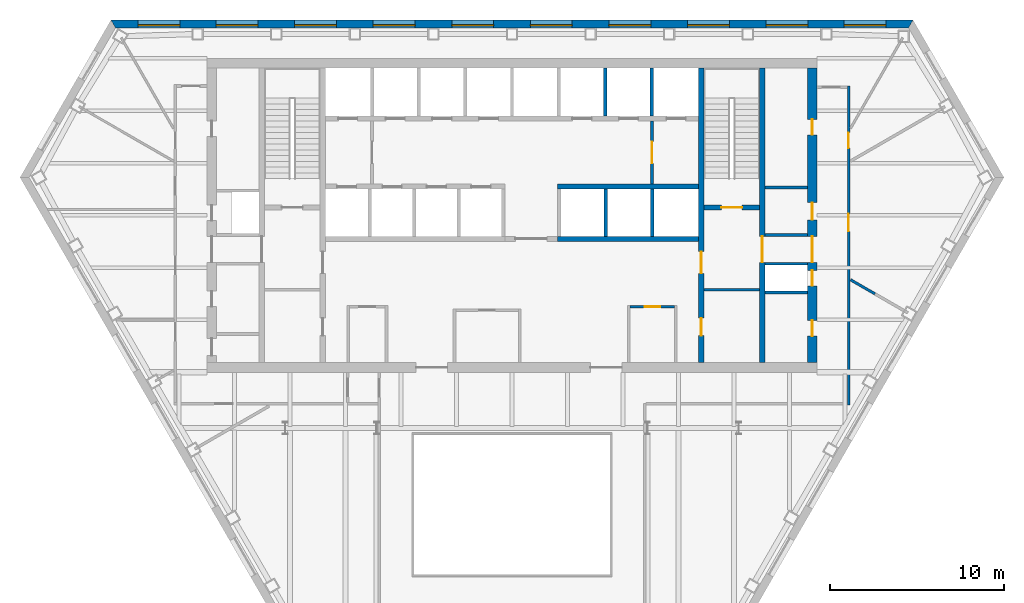
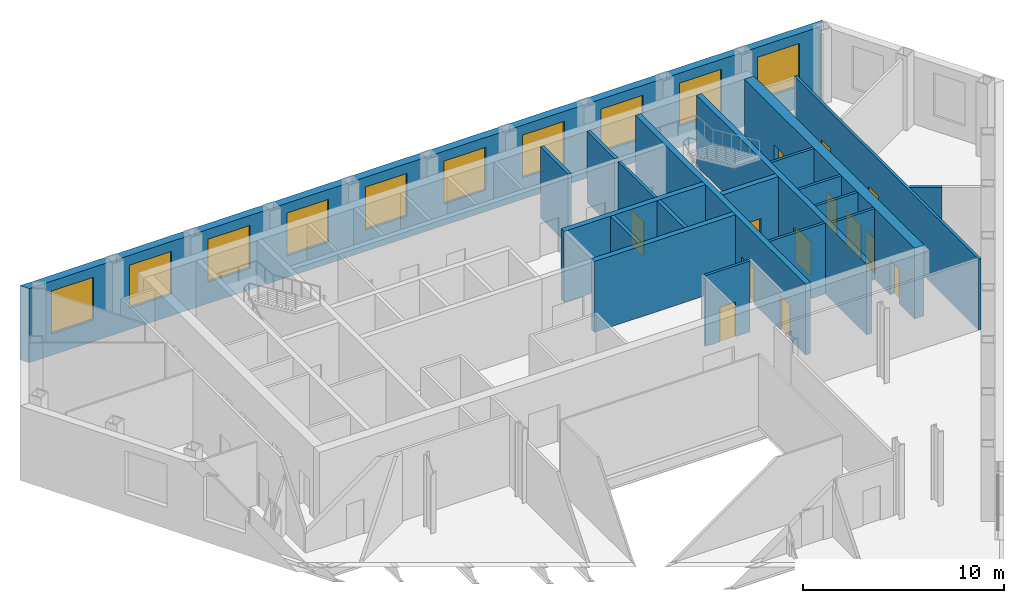
# One storey, part 7 of 11: 20 walls, 13 doors, 10 windows, 23 openings.
"""IFC4 building model written with IfcOpenShell, lengths in metres."""

from ifc_helpers import new_model, si_unit, direction, frame, frame_2d, origin, place, context, subcontext, project, spatial, polyline, rectangle, outline, extrude, material, layer, layer_set, type_object, element, fill, save


model = new_model("IFC4")

# Units and contexts
model_context = context("Model", 3, precision=1e-05, world=origin(), true_north=direction((0.0, 1.0)))
body_context = subcontext(model_context, "Body", "Model", "MODEL_VIEW")
ifc_project = project(units=[si_unit("LENGTHUNIT", "METRE"), si_unit("AREAUNIT", "SQUARE_METRE"), si_unit("VOLUMEUNIT", "CUBIC_METRE"), si_unit("PLANEANGLEUNIT", "RADIAN"), si_unit("MASSUNIT", "GRAM", prefix="KILO")], contexts=[model_context])

# Site, building, storey
site_placement = place(None, origin())
site = spatial("IfcSite", under=ifc_project, at=site_placement, CompositionType="ELEMENT")
building_placement = place(site_placement, origin())
building = spatial("IfcBuilding", under=site, at=building_placement, Name="Njiva Tower", CompositionType="ELEMENT")
storey_placement = place(building_placement, frame((0.0, 0.0, 88.8)))
storey = spatial("IfcBuildingStorey", under=building, at=storey_placement, Name="L18", CompositionType="ELEMENT", Elevation=88.8)

# Walls
ifc_material_1 = material(Name="Blockwork", Category="masonry")
ifc_layer_1 = layer(ifc_material_1, 0.15)
ifc_layer_set_1 = layer_set([ifc_layer_1], Name="Blockwork")
wall_type_1 = type_object("IfcWallType", Name="WT1 Compartment partition 150", PredefinedType="PARTITIONING", material=ifc_layer_set_1)
wall_1_placement = place(storey_placement, frame((11.0, 4.725, 0.0), z_axis=(0.0, 0.0, 1.0), x_axis=(1.0, 0.0, 0.0)))
element("IfcWall", 1, at=wall_1_placement, inside=storey, type_object=wall_type_1, Name="Room wall B", PredefinedType="PARTITIONING", context=body_context, shape_type="SweptSolid", body=[
    extrude(rectangle(XDim=3.2, YDim=0.15, at=frame_2d((1.6, 0.0))), origin(), (0.0, 0.0, 1.0), 4.3),
])
wall_2_placement = place(storey_placement, frame((14.5, 10.5941, 0.0), z_axis=(0.0, 0.0, 1.0), x_axis=(1.0, 0.0, 0.0)))
element("IfcWall", 2, at=wall_2_placement, inside=storey, type_object=wall_type_1, Name="Partition strip E10", PredefinedType="PARTITIONING", context=body_context, shape_type="SweptSolid", body=[
    extrude(rectangle(XDim=2.45, YDim=0.15, at=frame_2d((1.225, 0.0))), origin(), (0.0, 0.0, 1.0), 4.3),
])

# Wall, opening, door
wall_3_placement = place(storey_placement, frame((6.775, 3.75, 0.0), z_axis=(0.0, 0.0, 1.0), x_axis=(1.0, 0.0, 0.0)))
wall_3 = element("IfcWall", 3, at=wall_3_placement, inside=storey, type_object=wall_type_1, Name="Information office wall north", PredefinedType="PARTITIONING", context=body_context, shape_type="SweptSolid", body=[
    extrude(rectangle(XDim=2.55, YDim=0.15, at=frame_2d((1.275, 0.0))), origin(), (0.0, 0.0, 1.0), 4.3),
])
opening_1_placement = place(wall_3_placement, frame((0.825, 0.0, 0.0)))
opening_1 = element("IfcOpeningElement", 4, at=opening_1_placement, cuts=wall_3, Name="Opening S06-D934", PredefinedType="OPENING", context=body_context, shape_type="SweptSolid", body=[
    extrude(rectangle(XDim=0.9, YDim=2.1, at=frame_2d((0.45, 1.05))), frame((0.0, 0.085, 0.0), z_axis=(0.0, -1.0, 0.0), x_axis=(1.0, 0.0, 0.0)), (0.0, 0.0, 1.0), 0.17),
])
ifc_material_2 = material(Name="Steel fire door, painted", Category="steel")
door_type_1 = type_object("IfcDoorType", Name="D6 Fire-rated door 900x2100", OperationType="SINGLE_SWING_LEFT", PredefinedType="DOOR", material=ifc_material_2)
door_1_placement = place(opening_1_placement, origin())
door_1 = element("IfcDoor", 5, at=door_1_placement, inside=storey, type_object=door_type_1, Name="Information office door", OperationType="SINGLE_SWING_RIGHT", OverallHeight=2.1, OverallWidth=0.9, PredefinedType="DOOR", context=body_context, shape_type="SweptSolid", body=[
    extrude(rectangle(XDim=0.9, YDim=2.1, at=frame_2d((0.45, 1.05))), frame((0.0, 0.025, 0.0), z_axis=(0.0, -1.0, 0.0), x_axis=(1.0, 0.0, 0.0)), (0.0, 0.0, 1.0), 0.05),
])
fill(opening_1, door_1)

# Wall, openings, doors
ifc_material_3 = material(Name="Concrete C40/50", Category="concrete")
ifc_layer_2 = layer(ifc_material_3, 0.3)
ifc_layer_set_2 = layer_set([ifc_layer_2], Name="Concrete C40/50")
wall_type_2 = type_object("IfcWallType", Name="WT10 Stair enclosure wall 300", PredefinedType="SHEAR", material=ifc_layer_set_2)
wall_4_placement = place(storey_placement, frame((10.85, 0.55, 0.0), z_axis=(0.0, 0.0, 1.0), x_axis=(0.0, 1.0, 0.0)))
wall_4 = element("IfcWall", 6, at=wall_4_placement, inside=storey, type_object=wall_type_2, Name="Stair wall east inner", PredefinedType="SHEAR", context=body_context, shape_type="SweptSolid", body=[
    extrude(rectangle(XDim=16.9, YDim=0.3, at=frame_2d((8.45, 0.0))), origin(), (0.0, 0.0, 1.0), 4.3),
])
opening_2_placement = place(wall_4_placement, frame((5.125, 0.0, 0.0)))
opening_2 = element("IfcOpeningElement", 7, at=opening_2_placement, cuts=wall_4, Name="Opening S06-D918", PredefinedType="OPENING", context=body_context, shape_type="SweptSolid", body=[
    extrude(rectangle(XDim=1.25, YDim=2.1, at=frame_2d((0.625, 1.05))), frame((0.0, 0.16, 0.0), z_axis=(0.0, -1.0, 0.0), x_axis=(1.0, 0.0, 0.0)), (0.0, 0.0, 1.0), 0.32),
])
opening_3_placement = place(wall_4_placement, frame((1.55, 0.0, 0.0)))
opening_3 = element("IfcOpeningElement", 8, at=opening_3_placement, cuts=wall_4, Name="Opening S06-D919", PredefinedType="OPENING", context=body_context, shape_type="SweptSolid", body=[
    extrude(rectangle(XDim=1.0, YDim=2.1, at=frame_2d((0.5, 1.05))), frame((0.0, 0.16, 0.0), z_axis=(0.0, -1.0, 0.0), x_axis=(1.0, 0.0, 0.0)), (0.0, 0.0, 1.0), 0.32),
])
ifc_material_4 = material(Name="Steel door, painted", Category="steel")
door_type_2 = type_object("IfcDoorType", Name="D5 Steel door 1000x2100", OperationType="SINGLE_SWING_LEFT", PredefinedType="DOOR", material=ifc_material_4)
door_2_placement = place(opening_3_placement, origin())
door_2 = element("IfcDoor", 9, at=door_2_placement, inside=storey, type_object=door_type_2, Name="Business centre door", OperationType="SINGLE_SWING_LEFT", OverallHeight=2.1, OverallWidth=1.0, PredefinedType="DOOR", context=body_context, shape_type="SweptSolid", body=[
    extrude(rectangle(XDim=1.0, YDim=2.1, at=frame_2d((0.5, 1.05))), frame((0.0, 0.025, 0.0), z_axis=(0.0, -1.0, 0.0), x_axis=(1.0, 0.0, 0.0)), (0.0, 0.0, 1.0), 0.05),
])
fill(opening_3, door_2)
ifc_material_5 = material(Name="Glazed steel fire door", Category="steel")
door_type_3 = type_object("IfcDoorType", Name="D8 Vestibule corridor door 1250x2100 glazed", OperationType="SINGLE_SWING_LEFT", PredefinedType="DOOR", material=ifc_material_5)
door_3_placement = place(opening_2_placement, origin())
door_3 = element("IfcDoor", 10, at=door_3_placement, inside=storey, type_object=door_type_3, Name="Stair vestibule corridor door", OperationType="SINGLE_SWING_RIGHT", OverallHeight=2.1, OverallWidth=1.25, PredefinedType="DOOR", context=body_context, shape_type="SweptSolid", body=[
    extrude(rectangle(XDim=1.25, YDim=2.1, at=frame_2d((0.625, 1.05))), frame((0.0, 0.025, 0.0), z_axis=(0.0, -1.0, 0.0), x_axis=(1.0, 0.0, 0.0)), (0.0, 0.0, 1.0), 0.05),
])
fill(opening_2, door_3)

# Wall, opening, door
wall_5_placement = place(storey_placement, frame((14.35, 0.55, 0.0), z_axis=(0.0, 0.0, 1.0), x_axis=(0.0, 1.0, 0.0)))
wall_5 = element("IfcWall", 11, at=wall_5_placement, inside=storey, type_object=wall_type_2, Name="Stair wall east outer", PredefinedType="SHEAR", context=body_context, shape_type="SweptSolid", body=[
    extrude(rectangle(XDim=16.9, YDim=0.3, at=frame_2d((8.45, 0.0))), origin(), (0.0, 0.0, 1.0), 4.3),
])
opening_4_placement = place(wall_5_placement, frame((5.75, 0.0, 0.0)))
opening_4 = element("IfcOpeningElement", 12, at=opening_4_placement, cuts=wall_5, Name="Opening S06-D926", PredefinedType="OPENING", context=body_context, shape_type="SweptSolid", body=[
    extrude(rectangle(XDim=1.5, YDim=2.1, at=frame_2d((0.75, 1.05))), frame((0.0, 0.16, 0.0), z_axis=(0.0, -1.0, 0.0), x_axis=(1.0, 0.0, 0.0)), (0.0, 0.0, 1.0), 0.32),
])
door_type_4 = type_object("IfcDoorType", Name="D10 Exit door double 1500x2100 glazed", OperationType="DOUBLE_DOOR_SINGLE_SWING", PredefinedType="DOOR", material=ifc_material_5)
door_4_placement = place(opening_4_placement, origin())
door_4 = element("IfcDoor", 13, at=door_4_placement, inside=storey, type_object=door_type_4, Name="Stair B passage door", OperationType="DOUBLE_DOOR_SINGLE_SWING", OverallHeight=2.1, OverallWidth=1.5, PredefinedType="DOOR", context=body_context, shape_type="SweptSolid", body=[
    extrude(rectangle(XDim=1.5, YDim=2.1, at=frame_2d((0.75, 1.05))), frame((0.0, 0.025, 0.0), z_axis=(0.0, -1.0, 0.0), x_axis=(1.0, 0.0, 0.0)), (0.0, 0.0, 1.0), 0.05),
])
fill(opening_4, door_4)

wall_6_placement = place(storey_placement, frame((11.0, 9.45, 0.0), z_axis=(0.0, 0.0, 1.0), x_axis=(1.0, 0.0, 0.0)))
wall_6 = element("IfcWall", 14, at=wall_6_placement, inside=storey, type_object=wall_type_2, Name="Stair B south wall", PredefinedType="SHEAR", context=body_context, shape_type="SweptSolid", body=[
    extrude(rectangle(XDim=3.2, YDim=0.3, at=frame_2d((1.6, 0.0))), origin(), (0.0, 0.0, 1.0), 4.3),
])
opening_5_placement = place(wall_6_placement, frame((1.0, 0.0, 0.0)))
opening_5 = element("IfcOpeningElement", 15, at=opening_5_placement, cuts=wall_6, Name="Opening S06-D917", PredefinedType="OPENING", context=body_context, shape_type="SweptSolid", body=[
    extrude(rectangle(XDim=1.2, YDim=2.1, at=frame_2d((0.6, 1.05))), frame((0.0, 0.16, 0.0), z_axis=(0.0, -1.0, 0.0), x_axis=(1.0, 0.0, 0.0)), (0.0, 0.0, 1.0), 0.32),
])
door_type_5 = type_object("IfcDoorType", Name="D7 Stair vestibule door 1200x2100 glazed", OperationType="SINGLE_SWING_LEFT", PredefinedType="DOOR", material=ifc_material_5)
door_5_placement = place(opening_5_placement, origin())
door_5 = element("IfcDoor", 16, at=door_5_placement, inside=storey, type_object=door_type_5, Name="Stair B door", OperationType="SINGLE_SWING_LEFT", OverallHeight=2.1, OverallWidth=1.2, PredefinedType="DOOR", context=body_context, shape_type="SweptSolid", body=[
    extrude(rectangle(XDim=1.2, YDim=2.1, at=frame_2d((0.6, 1.05))), frame((0.0, 0.025, 0.0), z_axis=(0.0, -1.0, 0.0), x_axis=(1.0, 0.0, 0.0)), (0.0, 0.0, 1.0), 0.05),
])
fill(opening_5, door_5)

# Wall, openings, doors
ifc_material_6 = material(Name="Concrete C60/75", Category="concrete")
ifc_layer_3 = layer(ifc_material_6, 0.55)
ifc_layer_set_3 = layer_set([ifc_layer_3], Name="Concrete C60/75")
wall_type_3 = type_object("IfcWallType", Name="WT14 Core wall 550", PredefinedType="SHEAR", material=ifc_layer_set_3)
wall_7_placement = place(storey_placement, frame((17.225, 0.55, 0.0), z_axis=(0.0, 0.0, 1.0), x_axis=(0.0, 1.0, 0.0)))
wall_7 = element("IfcWall", 17, at=wall_7_placement, inside=storey, type_object=wall_type_3, Name="Core wall east", PredefinedType="SHEAR", context=body_context, shape_type="SweptSolid", body=[
    extrude(rectangle(XDim=16.9, YDim=0.55, at=frame_2d((8.45, 0.0))), origin(), (0.0, 0.0, 1.0), 4.3),
])
opening_6_placement = place(wall_7_placement, frame((5.75, 0.0, 0.0)))
opening_6 = element("IfcOpeningElement", 18, at=opening_6_placement, cuts=wall_7, Name="Opening S06-D927", PredefinedType="OPENING", context=body_context, shape_type="SweptSolid", body=[
    extrude(rectangle(XDim=1.5, YDim=2.1, at=frame_2d((0.75, 1.05))), frame((0.0, 0.285, 0.0), z_axis=(0.0, -1.0, 0.0), x_axis=(1.0, 0.0, 0.0)), (0.0, 0.0, 1.0), 0.57),
])
opening_7_placement = place(wall_7_placement, frame((1.525, 0.0, 0.0)))
opening_7 = element("IfcOpeningElement", 19, at=opening_7_placement, cuts=wall_7, Name="Opening S06-D928", PredefinedType="OPENING", context=body_context, shape_type="SweptSolid", body=[
    extrude(rectangle(XDim=0.9, YDim=2.1, at=frame_2d((0.45, 1.05))), frame((0.0, 0.285, 0.0), z_axis=(0.0, -1.0, 0.0), x_axis=(1.0, 0.0, 0.0)), (0.0, 0.0, 1.0), 0.57),
])
opening_8_placement = place(wall_7_placement, frame((4.4, 0.0, 0.0)))
opening_8 = element("IfcOpeningElement", 20, at=opening_8_placement, cuts=wall_7, Name="Opening S06-D929", PredefinedType="OPENING", context=body_context, shape_type="SweptSolid", body=[
    extrude(rectangle(XDim=0.9, YDim=2.1, at=frame_2d((0.45, 1.05))), frame((0.0, 0.285, 0.0), z_axis=(0.0, -1.0, 0.0), x_axis=(1.0, 0.0, 0.0)), (0.0, 0.0, 1.0), 0.57),
])
opening_9_placement = place(wall_7_placement, frame((8.1845, 0.0, 0.0)))
opening_9 = element("IfcOpeningElement", 21, at=opening_9_placement, cuts=wall_7, Name="Opening S06-D930", PredefinedType="OPENING", context=body_context, shape_type="SweptSolid", body=[
    extrude(rectangle(XDim=1.0, YDim=2.1, at=frame_2d((0.5, 1.05))), frame((0.0, 0.285, 0.0), z_axis=(0.0, -1.0, 0.0), x_axis=(1.0, 0.0, 0.0)), (0.0, 0.0, 1.0), 0.57),
])
opening_10_placement = place(wall_7_placement, frame((13.0595, 0.0, 0.0)))
opening_10 = element("IfcOpeningElement", 22, at=opening_10_placement, cuts=wall_7, Name="Opening S06-D931", PredefinedType="OPENING", context=body_context, shape_type="SweptSolid", body=[
    extrude(rectangle(XDim=0.9, YDim=2.1, at=frame_2d((0.45, 1.05))), frame((0.0, 0.285, 0.0), z_axis=(0.0, -1.0, 0.0), x_axis=(1.0, 0.0, 0.0)), (0.0, 0.0, 1.0), 0.57),
])
door_6_placement = place(opening_6_placement, origin())
door_6 = element("IfcDoor", 23, at=door_6_placement, inside=storey, type_object=door_type_4, Name="Stair B corridor door", OperationType="DOUBLE_DOOR_SINGLE_SWING", OverallHeight=2.1, OverallWidth=1.5, PredefinedType="DOOR", context=body_context, shape_type="SweptSolid", body=[
    extrude(rectangle(XDim=1.5, YDim=2.1, at=frame_2d((0.75, 1.05))), frame((0.0, 0.025, 0.0), z_axis=(0.0, -1.0, 0.0), x_axis=(1.0, 0.0, 0.0)), (0.0, 0.0, 1.0), 0.05),
])
fill(opening_6, door_6)
door_type_6 = type_object("IfcDoorType", Name="D4 Riser door 900x2100", OperationType="SINGLE_SWING_LEFT", PredefinedType="DOOR", material=ifc_material_4)
door_7_placement = place(opening_8_placement, origin())
door_7 = element("IfcDoor", 24, at=door_7_placement, inside=storey, type_object=door_type_6, Name="Riser door", OperationType="SINGLE_SWING_LEFT", OverallHeight=2.1, OverallWidth=0.9, PredefinedType="DOOR", context=body_context, shape_type="SweptSolid", body=[
    extrude(rectangle(XDim=0.9, YDim=2.1, at=frame_2d((0.45, 1.05))), frame((0.0, 0.025, 0.0), z_axis=(0.0, -1.0, 0.0), x_axis=(1.0, 0.0, 0.0)), (0.0, 0.0, 1.0), 0.05),
])
fill(opening_8, door_7)
door_8_placement = place(opening_9_placement, origin())
door_8 = element("IfcDoor", 25, at=door_8_placement, inside=storey, type_object=door_type_2, Name="Telecoms room door", OperationType="SINGLE_SWING_LEFT", OverallHeight=2.1, OverallWidth=1.0, PredefinedType="DOOR", context=body_context, shape_type="SweptSolid", body=[
    extrude(rectangle(XDim=1.0, YDim=2.1, at=frame_2d((0.5, 1.05))), frame((0.0, 0.025, 0.0), z_axis=(0.0, -1.0, 0.0), x_axis=(1.0, 0.0, 0.0)), (0.0, 0.0, 1.0), 0.05),
])
fill(opening_9, door_8)
door_9_placement = place(opening_7_placement, origin())
door_9 = element("IfcDoor", 26, at=door_9_placement, inside=storey, type_object=door_type_1, Name="Reading room door", OperationType="SINGLE_SWING_RIGHT", OverallHeight=2.1, OverallWidth=0.9, PredefinedType="DOOR", context=body_context, shape_type="SweptSolid", body=[
    extrude(rectangle(XDim=0.9, YDim=2.1, at=frame_2d((0.45, 1.05))), frame((0.0, 0.025, 0.0), z_axis=(0.0, -1.0, 0.0), x_axis=(1.0, 0.0, 0.0)), (0.0, 0.0, 1.0), 0.05),
])
fill(opening_7, door_9)
door_10_placement = place(opening_10_placement, origin())
door_10 = element("IfcDoor", 27, at=door_10_placement, inside=storey, type_object=door_type_1, Name="Tenant centre door", OperationType="SINGLE_SWING_LEFT", OverallHeight=2.1, OverallWidth=0.9, PredefinedType="DOOR", context=body_context, shape_type="SweptSolid", body=[
    extrude(rectangle(XDim=0.9, YDim=2.1, at=frame_2d((0.45, 1.05))), frame((0.0, 0.025, 0.0), z_axis=(0.0, -1.0, 0.0), x_axis=(1.0, 0.0, 0.0)), (0.0, 0.0, 1.0), 0.05),
])
fill(opening_10, door_10)

# Wall, opening, door
ifc_layer_4 = layer(ifc_material_1, 0.15)
ifc_layer_set_4 = layer_set([ifc_layer_4], Name="Blockwork")
wall_type_4 = type_object("IfcWallType", Name="WT2 Lobby partition 150", PredefinedType="PARTITIONING", material=ifc_layer_set_4)
wall_8_placement = place(storey_placement, frame((8.025, 10.8, 0.0), z_axis=(0.0, 0.0, 1.0), x_axis=(0.0, 1.0, 0.0)))
wall_8 = element("IfcWall", 28, at=wall_8_placement, inside=storey, type_object=wall_type_4, Name="Firefighting lobby wall B", PredefinedType="PARTITIONING", context=body_context, shape_type="SweptSolid", body=[
    extrude(rectangle(XDim=3.6, YDim=0.15, at=frame_2d((1.8, 0.0))), origin(), (0.0, 0.0, 1.0), 4.3),
])
opening_11_placement = place(wall_8_placement, frame((1.175, 0.0, 0.0)))
opening_11 = element("IfcOpeningElement", 29, at=opening_11_placement, cuts=wall_8, Name="Opening S06-D916", PredefinedType="OPENING", context=body_context, shape_type="SweptSolid", body=[
    extrude(rectangle(XDim=1.25, YDim=2.1, at=frame_2d((0.625, 1.05))), frame((0.0, 0.085, 0.0), z_axis=(0.0, -1.0, 0.0), x_axis=(1.0, 0.0, 0.0)), (0.0, 0.0, 1.0), 0.17),
])
door_11_placement = place(opening_11_placement, origin())
door_11 = element("IfcDoor", 30, at=door_11_placement, inside=storey, type_object=door_type_3, Name="Stair vestibule corridor door", OperationType="SINGLE_SWING_LEFT", OverallHeight=2.1, OverallWidth=1.25, PredefinedType="DOOR", context=body_context, shape_type="SweptSolid", body=[
    extrude(rectangle(XDim=1.25, YDim=2.1, at=frame_2d((0.625, 1.05))), frame((0.0, 0.025, 0.0), z_axis=(0.0, -1.0, 0.0), x_axis=(1.0, 0.0, 0.0)), (0.0, 0.0, 1.0), 0.05),
])
fill(opening_11, door_11)

# Wall, openings, doors
ifc_material_7 = material(Name="Gypsum board on steel studs", Category="gypsum")
ifc_layer_5 = layer(ifc_material_7, 0.15)
ifc_layer_set_5 = layer_set([ifc_layer_5], Name="Gypsum board on steel studs")
wall_type_5 = type_object("IfcWallType", Name="WT21 Compartment wall 150", PredefinedType="PARTITIONING", material=ifc_layer_set_5)
wall_9_placement = place(storey_placement, frame((19.3, -1.875, 0.0), z_axis=(0.0, 0.0, 1.0), x_axis=(0.0, 1.0, 0.0)))
wall_9 = element("IfcWall", 31, at=wall_9_placement, inside=storey, type_object=wall_type_5, Name="Partition S06-P020", PredefinedType="PARTITIONING", context=body_context, shape_type="SweptSolid", body=[
    extrude(rectangle(XDim=18.3, YDim=0.15, at=frame_2d((9.15, 0.0))), origin(), (0.0, 0.0, 1.0), 4.3),
])
opening_12_placement = place(wall_9_placement, frame((9.958, 0.0, 0.0)))
opening_12 = element("IfcOpeningElement", 32, at=opening_12_placement, cuts=wall_9, Name="Opening S06-D012", PredefinedType="OPENING", context=body_context, shape_type="SweptSolid", body=[
    extrude(rectangle(XDim=1.0, YDim=2.1, at=frame_2d((0.5, 1.05))), frame((0.0, 0.085, 0.0), z_axis=(0.0, -1.0, 0.0), x_axis=(1.0, 0.0, 0.0)), (0.0, 0.0, 1.0), 0.17),
])
opening_13_placement = place(wall_9_placement, frame((14.725, 0.0, 0.0)))
opening_13 = element("IfcOpeningElement", 33, at=opening_13_placement, cuts=wall_9, Name="Opening S06-D013", PredefinedType="OPENING", context=body_context, shape_type="SweptSolid", body=[
    extrude(rectangle(XDim=0.9, YDim=2.1, at=frame_2d((0.45, 1.05))), frame((0.0, 0.085, 0.0), z_axis=(0.0, -1.0, 0.0), x_axis=(1.0, 0.0, 0.0)), (0.0, 0.0, 1.0), 0.17),
])
ifc_material_8 = material(Name="Steel fire door set", Category="steel")
door_type_7 = type_object("IfcDoorType", Name="D36 Fire door 900x2100", OperationType="SINGLE_SWING_LEFT", PredefinedType="DOOR", material=ifc_material_8)
door_12_placement = place(opening_13_placement, origin())
door_12 = element("IfcDoor", 34, at=door_12_placement, inside=storey, type_object=door_type_7, Name="Door S06-D013", OperationType="SINGLE_SWING_RIGHT", OverallHeight=2.1, OverallWidth=0.9, PredefinedType="DOOR", context=body_context, shape_type="SweptSolid", body=[
    extrude(rectangle(XDim=0.9, YDim=2.1, at=frame_2d((0.45, 1.05))), frame((0.0, 0.025, 0.0), z_axis=(0.0, -1.0, 0.0), x_axis=(1.0, 0.0, 0.0)), (0.0, 0.0, 1.0), 0.05),
])
fill(opening_13, door_12)
door_type_8 = type_object("IfcDoorType", Name="D37 Fire door 1000x2100", OperationType="SINGLE_SWING_LEFT", PredefinedType="DOOR", material=ifc_material_8)
door_13_placement = place(opening_12_placement, origin())
door_13 = element("IfcDoor", 35, at=door_13_placement, inside=storey, type_object=door_type_8, Name="Door S06-D012", OperationType="SINGLE_SWING_RIGHT", OverallHeight=2.1, OverallWidth=1.0, PredefinedType="DOOR", context=body_context, shape_type="SweptSolid", body=[
    extrude(rectangle(XDim=1.0, YDim=2.1, at=frame_2d((0.5, 1.05))), frame((0.0, 0.025, 0.0), z_axis=(0.0, -1.0, 0.0), x_axis=(1.0, 0.0, 0.0)), (0.0, 0.0, 1.0), 0.05),
])
fill(opening_12, door_13)

# Walls
wall_10_placement = place(storey_placement, frame((19.413, 5.306, 0.0), z_axis=(0.0, 0.0, 1.0), x_axis=(0.865835305332, -0.500329115724, 0.0)))
element("IfcWall", 36, at=wall_10_placement, inside=storey, type_object=wall_type_5, Name="Partition S06-P022", PredefinedType="PARTITIONING", context=body_context, shape_type="SweptSolid", body=[
    extrude(rectangle(XDim=1.6169, YDim=0.15, at=frame_2d((0.8084, 0.0))), origin(), (0.0, 0.0, 1.0), 4.3),
])
ifc_layer_6 = layer(ifc_material_1, 0.15)
ifc_layer_set_6 = layer_set([ifc_layer_6], Name="Blockwork")
wall_type_6 = type_object("IfcWallType", Name="WT3 Riser partition 150", PredefinedType="PARTITIONING", material=ifc_layer_set_6)
wall_11_placement = place(storey_placement, frame((14.5, 4.575, 0.0), z_axis=(0.0, 0.0, 1.0), x_axis=(1.0, 0.0, 0.0)))
element("IfcWall", 37, at=wall_11_placement, inside=storey, type_object=wall_type_6, Name="Partition strip E00", PredefinedType="PARTITIONING", context=body_context, shape_type="SweptSolid", body=[
    extrude(rectangle(XDim=2.45, YDim=0.15, at=frame_2d((1.225, 0.0))), origin(), (0.0, 0.0, 1.0), 4.3),
])
ifc_layer_7 = layer(ifc_material_1, 0.15)
ifc_layer_set_7 = layer_set([ifc_layer_7], Name="Blockwork")
wall_type_7 = type_object("IfcWallType", Name="WT4 Stair partition 150", PredefinedType="PARTITIONING", material=ifc_layer_set_7)
for number, where, z_axis, x_axis, name in (
    (38, (14.5, 6.225, 0.0), (0.0, 0.0, 1.0), (1.0, 0.0, 0.0), "Stair B exit passage wall south"),
    (39, (14.5, 7.875, 0.0), (0.0, 0.0, 1.0), (1.0, 0.0, 0.0), "Stair B exit passage wall north"),
):
    element("IfcWall", number, at=place(storey_placement, frame(where, z_axis=z_axis, x_axis=x_axis)), inside=storey, type_object=wall_type_7, Name=name, PredefinedType="PARTITIONING", context=body_context, shape_type="SweptSolid", body=[
        extrude(rectangle(XDim=2.45, YDim=0.15, at=frame_2d((1.225, 0.0))), origin(), (0.0, 0.0, 1.0), 4.3),
    ])
ifc_layer_8 = layer(ifc_material_3, 0.2)
ifc_layer_set_8 = layer_set([ifc_layer_8], Name="Concrete C40/50")
wall_type_8 = type_object("IfcWallType", Name="WT6 Lift shaft wall 200", PredefinedType="SHEAR", material=ifc_layer_set_8)
for number, where, z_axis, x_axis, name in (
    (40, (5.35, 14.7, 0.0), (0.0, 0.0, 1.0), (0.0, 1.0, 0.0), "Shaft wall CN6"),
    (41, (8.025, 14.7, 0.0), (0.0, 0.0, 1.0), (0.0, 1.0, 0.0), "Shaft wall CN7"),
):
    element("IfcWall", number, at=place(storey_placement, frame(where, z_axis=z_axis, x_axis=x_axis)), inside=storey, type_object=wall_type_8, Name=name, PredefinedType="SHEAR", context=body_context, shape_type="SweptSolid", body=[
        extrude(rectangle(XDim=2.75, YDim=0.2, at=frame_2d((1.375, 0.0))), origin(), (0.0, 0.0, 1.0), 4.3),
    ])
for number, where, z_axis, x_axis, name in (
    (42, (5.3667, 7.8, 0.0), (0.0, 0.0, 1.0), (0.0, 1.0, 0.0), "Shaft wall CS6"),
    (43, (8.0333, 7.8, 0.0), (0.0, 0.0, 1.0), (0.0, 1.0, 0.0), "Shaft wall CS7"),
):
    element("IfcWall", number, at=place(storey_placement, frame(where, z_axis=z_axis, x_axis=x_axis)), inside=storey, type_object=wall_type_8, Name=name, PredefinedType="SHEAR", context=body_context, shape_type="SweptSolid", body=[
        extrude(rectangle(XDim=2.7, YDim=0.2, at=frame_2d((1.35, 0.0))), origin(), (0.0, 0.0, 1.0), 4.3),
    ])
ifc_layer_9 = layer(ifc_material_3, 0.3)
ifc_layer_set_9 = layer_set([ifc_layer_9], Name="Concrete C40/50")
wall_type_9 = type_object("IfcWallType", Name="WT7 Lift shaft wall 300", PredefinedType="SHEAR", material=ifc_layer_set_9)
for number, where, z_axis, x_axis, name in (
    (44, (2.6, 10.65, 0.0), (0.0, 0.0, 1.0), (1.0, 0.0, 0.0), "Shaft wall south row lobby side E"),
    (45, (2.6, 7.65, 0.0), (0.0, 0.0, 1.0), (1.0, 0.0, 0.0), "Shaft wall south row back E"),
):
    element("IfcWall", number, at=place(storey_placement, frame(where, z_axis=z_axis, x_axis=x_axis)), inside=storey, type_object=wall_type_9, Name=name, PredefinedType="SHEAR", context=body_context, shape_type="SweptSolid", body=[
        extrude(rectangle(XDim=8.1, YDim=0.3, at=frame_2d((4.05, 0.0))), origin(), (0.0, 0.0, 1.0), 4.3),
    ])

# Wall, openings, windows
ifc_material_9 = material(Name="Brick masonry", Category="masonry")
ifc_layer_10 = layer(ifc_material_9, 0.45)
ifc_layer_set_10 = layer_set([ifc_layer_10], Name="Brick masonry")
wall_type_10 = type_object("IfcWallType", Name="WT90 Brick pier and spandrel wall 450", PredefinedType="SOLIDWALL", material=ifc_layer_set_10)
wall_12_placement = place(storey_placement, frame((22.8651, 19.975, -0.4), z_axis=(0.0, 0.0, 1.0), x_axis=(-1.0, 0.0, 0.0)))
wall_12 = element("IfcWall", 46, at=wall_12_placement, inside=storey, type_object=wall_type_10, Name="Facade wall N", PredefinedType="SOLIDWALL", context=body_context, shape_type="SweptSolid", body=[
    extrude(outline(polyline([(-0.1299, -0.225), (45.8601, -0.225), (45.6003, 0.225), (0.1299, 0.225), (-0.1299, -0.225)])), origin(), (0.0, 0.0, 1.0), 4.5),
])
opening_14_placement = place(wall_12_placement, frame((1.4237, 0.0, 1.3)))
opening_14 = element("IfcOpeningElement", 47, at=opening_14_placement, cuts=wall_12, Name="Opening S06-W01", PredefinedType="OPENING", context=body_context, shape_type="SweptSolid", body=[
    extrude(rectangle(XDim=2.4, YDim=2.6, at=frame_2d((1.2, 1.3))), frame((0.0, 0.235, 0.0), z_axis=(0.0, -1.0, 0.0), x_axis=(1.0, 0.0, 0.0)), (0.0, 0.0, 1.0), 0.47),
])
opening_15_placement = place(wall_12_placement, frame((5.8919, 0.0, 1.3)))
opening_15 = element("IfcOpeningElement", 48, at=opening_15_placement, cuts=wall_12, Name="Opening S06-W02", PredefinedType="OPENING", context=body_context, shape_type="SweptSolid", body=[
    extrude(rectangle(XDim=2.4, YDim=2.6, at=frame_2d((1.2, 1.3))), frame((0.0, 0.235, 0.0), z_axis=(0.0, -1.0, 0.0), x_axis=(1.0, 0.0, 0.0)), (0.0, 0.0, 1.0), 0.47),
])
opening_16_placement = place(wall_12_placement, frame((10.3985, 0.0, 1.3)))
opening_16 = element("IfcOpeningElement", 49, at=opening_16_placement, cuts=wall_12, Name="Opening S06-W03", PredefinedType="OPENING", context=body_context, shape_type="SweptSolid", body=[
    extrude(rectangle(XDim=2.4, YDim=2.6, at=frame_2d((1.2, 1.3))), frame((0.0, 0.235, 0.0), z_axis=(0.0, -1.0, 0.0), x_axis=(1.0, 0.0, 0.0)), (0.0, 0.0, 1.0), 0.47),
])
opening_17_placement = place(wall_12_placement, frame((14.9052, 0.0, 1.3)))
opening_17 = element("IfcOpeningElement", 50, at=opening_17_placement, cuts=wall_12, Name="Opening S06-W04", PredefinedType="OPENING", context=body_context, shape_type="SweptSolid", body=[
    extrude(rectangle(XDim=2.4, YDim=2.6, at=frame_2d((1.2, 1.3))), frame((0.0, 0.235, 0.0), z_axis=(0.0, -1.0, 0.0), x_axis=(1.0, 0.0, 0.0)), (0.0, 0.0, 1.0), 0.47),
])
opening_18_placement = place(wall_12_placement, frame((19.4118, 0.0, 1.3)))
opening_18 = element("IfcOpeningElement", 51, at=opening_18_placement, cuts=wall_12, Name="Opening S06-W05", PredefinedType="OPENING", context=body_context, shape_type="SweptSolid", body=[
    extrude(rectangle(XDim=2.4, YDim=2.6, at=frame_2d((1.2, 1.3))), frame((0.0, 0.235, 0.0), z_axis=(0.0, -1.0, 0.0), x_axis=(1.0, 0.0, 0.0)), (0.0, 0.0, 1.0), 0.47),
])
opening_19_placement = place(wall_12_placement, frame((23.9184, 0.0, 1.3)))
opening_19 = element("IfcOpeningElement", 52, at=opening_19_placement, cuts=wall_12, Name="Opening S06-W06", PredefinedType="OPENING", context=body_context, shape_type="SweptSolid", body=[
    extrude(rectangle(XDim=2.4, YDim=2.6, at=frame_2d((1.2, 1.3))), frame((0.0, 0.235, 0.0), z_axis=(0.0, -1.0, 0.0), x_axis=(1.0, 0.0, 0.0)), (0.0, 0.0, 1.0), 0.47),
])
opening_20_placement = place(wall_12_placement, frame((28.425, 0.0, 1.3)))
opening_20 = element("IfcOpeningElement", 53, at=opening_20_placement, cuts=wall_12, Name="Opening S06-W07", PredefinedType="OPENING", context=body_context, shape_type="SweptSolid", body=[
    extrude(rectangle(XDim=2.4, YDim=2.6, at=frame_2d((1.2, 1.3))), frame((0.0, 0.235, 0.0), z_axis=(0.0, -1.0, 0.0), x_axis=(1.0, 0.0, 0.0)), (0.0, 0.0, 1.0), 0.47),
])
opening_21_placement = place(wall_12_placement, frame((32.9316, 0.0, 1.3)))
opening_21 = element("IfcOpeningElement", 54, at=opening_21_placement, cuts=wall_12, Name="Opening S06-W08", PredefinedType="OPENING", context=body_context, shape_type="SweptSolid", body=[
    extrude(rectangle(XDim=2.4, YDim=2.6, at=frame_2d((1.2, 1.3))), frame((0.0, 0.235, 0.0), z_axis=(0.0, -1.0, 0.0), x_axis=(1.0, 0.0, 0.0)), (0.0, 0.0, 1.0), 0.47),
])
opening_22_placement = place(wall_12_placement, frame((37.4383, 0.0, 1.3)))
opening_22 = element("IfcOpeningElement", 55, at=opening_22_placement, cuts=wall_12, Name="Opening S06-W09", PredefinedType="OPENING", context=body_context, shape_type="SweptSolid", body=[
    extrude(rectangle(XDim=2.4, YDim=2.6, at=frame_2d((1.2, 1.3))), frame((0.0, 0.235, 0.0), z_axis=(0.0, -1.0, 0.0), x_axis=(1.0, 0.0, 0.0)), (0.0, 0.0, 1.0), 0.47),
])
opening_23_placement = place(wall_12_placement, frame((41.9065, 0.0, 1.3)))
opening_23 = element("IfcOpeningElement", 56, at=opening_23_placement, cuts=wall_12, Name="Opening S06-W10", PredefinedType="OPENING", context=body_context, shape_type="SweptSolid", body=[
    extrude(rectangle(XDim=2.4, YDim=2.6, at=frame_2d((1.2, 1.3))), frame((0.0, 0.235, 0.0), z_axis=(0.0, -1.0, 0.0), x_axis=(1.0, 0.0, 0.0)), (0.0, 0.0, 1.0), 0.47),
])
ifc_material_10 = material(Name="Clear glazing in aluminium frame", Category="aluminium")
window_type = type_object("IfcWindowType", Name="W92 Deep-set window 2400x2600", PartitioningType="SINGLE_PANEL", PredefinedType="WINDOW", material=ifc_material_10)
window_1_placement = place(opening_14_placement, origin())
window_1 = element("IfcWindow", 57, at=window_1_placement, inside=storey, type_object=window_type, Name="Window", OverallHeight=2.6, OverallWidth=2.4, PartitioningType="SINGLE_PANEL", PredefinedType="WINDOW", context=body_context, shape_type="SweptSolid", body=[
    extrude(rectangle(XDim=2.4, YDim=2.6, at=frame_2d((1.2, 1.3))), frame((0.0, 0.105, 0.0), z_axis=(0.0, -1.0, 0.0), x_axis=(1.0, 0.0, 0.0)), (0.0, 0.0, 1.0), 0.06),
])
fill(opening_14, window_1)
window_2_placement = place(opening_15_placement, origin())
window_2 = element("IfcWindow", 58, at=window_2_placement, inside=storey, type_object=window_type, Name="Window", OverallHeight=2.6, OverallWidth=2.4, PartitioningType="SINGLE_PANEL", PredefinedType="WINDOW", context=body_context, shape_type="SweptSolid", body=[
    extrude(rectangle(XDim=2.4, YDim=2.6, at=frame_2d((1.2, 1.3))), frame((0.0, 0.105, 0.0), z_axis=(0.0, -1.0, 0.0), x_axis=(1.0, 0.0, 0.0)), (0.0, 0.0, 1.0), 0.06),
])
fill(opening_15, window_2)
window_3_placement = place(opening_16_placement, origin())
window_3 = element("IfcWindow", 59, at=window_3_placement, inside=storey, type_object=window_type, Name="Window", OverallHeight=2.6, OverallWidth=2.4, PartitioningType="SINGLE_PANEL", PredefinedType="WINDOW", context=body_context, shape_type="SweptSolid", body=[
    extrude(rectangle(XDim=2.4, YDim=2.6, at=frame_2d((1.2, 1.3))), frame((0.0, 0.105, 0.0), z_axis=(0.0, -1.0, 0.0), x_axis=(1.0, 0.0, 0.0)), (0.0, 0.0, 1.0), 0.06),
])
fill(opening_16, window_3)
window_4_placement = place(opening_17_placement, origin())
window_4 = element("IfcWindow", 60, at=window_4_placement, inside=storey, type_object=window_type, Name="Window", OverallHeight=2.6, OverallWidth=2.4, PartitioningType="SINGLE_PANEL", PredefinedType="WINDOW", context=body_context, shape_type="SweptSolid", body=[
    extrude(rectangle(XDim=2.4, YDim=2.6, at=frame_2d((1.2, 1.3))), frame((0.0, 0.105, 0.0), z_axis=(0.0, -1.0, 0.0), x_axis=(1.0, 0.0, 0.0)), (0.0, 0.0, 1.0), 0.06),
])
fill(opening_17, window_4)
window_5_placement = place(opening_18_placement, origin())
window_5 = element("IfcWindow", 61, at=window_5_placement, inside=storey, type_object=window_type, Name="Window", OverallHeight=2.6, OverallWidth=2.4, PartitioningType="SINGLE_PANEL", PredefinedType="WINDOW", context=body_context, shape_type="SweptSolid", body=[
    extrude(rectangle(XDim=2.4, YDim=2.6, at=frame_2d((1.2, 1.3))), frame((0.0, 0.105, 0.0), z_axis=(0.0, -1.0, 0.0), x_axis=(1.0, 0.0, 0.0)), (0.0, 0.0, 1.0), 0.06),
])
fill(opening_18, window_5)
window_6_placement = place(opening_19_placement, origin())
window_6 = element("IfcWindow", 62, at=window_6_placement, inside=storey, type_object=window_type, Name="Window", OverallHeight=2.6, OverallWidth=2.4, PartitioningType="SINGLE_PANEL", PredefinedType="WINDOW", context=body_context, shape_type="SweptSolid", body=[
    extrude(rectangle(XDim=2.4, YDim=2.6, at=frame_2d((1.2, 1.3))), frame((0.0, 0.105, 0.0), z_axis=(0.0, -1.0, 0.0), x_axis=(1.0, 0.0, 0.0)), (0.0, 0.0, 1.0), 0.06),
])
fill(opening_19, window_6)
window_7_placement = place(opening_20_placement, origin())
window_7 = element("IfcWindow", 63, at=window_7_placement, inside=storey, type_object=window_type, Name="Window", OverallHeight=2.6, OverallWidth=2.4, PartitioningType="SINGLE_PANEL", PredefinedType="WINDOW", context=body_context, shape_type="SweptSolid", body=[
    extrude(rectangle(XDim=2.4, YDim=2.6, at=frame_2d((1.2, 1.3))), frame((0.0, 0.105, 0.0), z_axis=(0.0, -1.0, 0.0), x_axis=(1.0, 0.0, 0.0)), (0.0, 0.0, 1.0), 0.06),
])
fill(opening_20, window_7)
window_8_placement = place(opening_21_placement, origin())
window_8 = element("IfcWindow", 64, at=window_8_placement, inside=storey, type_object=window_type, Name="Window", OverallHeight=2.6, OverallWidth=2.4, PartitioningType="SINGLE_PANEL", PredefinedType="WINDOW", context=body_context, shape_type="SweptSolid", body=[
    extrude(rectangle(XDim=2.4, YDim=2.6, at=frame_2d((1.2, 1.3))), frame((0.0, 0.105, 0.0), z_axis=(0.0, -1.0, 0.0), x_axis=(1.0, 0.0, 0.0)), (0.0, 0.0, 1.0), 0.06),
])
fill(opening_21, window_8)
window_9_placement = place(opening_22_placement, origin())
window_9 = element("IfcWindow", 65, at=window_9_placement, inside=storey, type_object=window_type, Name="Window", OverallHeight=2.6, OverallWidth=2.4, PartitioningType="SINGLE_PANEL", PredefinedType="WINDOW", context=body_context, shape_type="SweptSolid", body=[
    extrude(rectangle(XDim=2.4, YDim=2.6, at=frame_2d((1.2, 1.3))), frame((0.0, 0.105, 0.0), z_axis=(0.0, -1.0, 0.0), x_axis=(1.0, 0.0, 0.0)), (0.0, 0.0, 1.0), 0.06),
])
fill(opening_22, window_9)
window_10_placement = place(opening_23_placement, origin())
window_10 = element("IfcWindow", 66, at=window_10_placement, inside=storey, type_object=window_type, Name="Window", OverallHeight=2.6, OverallWidth=2.4, PartitioningType="SINGLE_PANEL", PredefinedType="WINDOW", context=body_context, shape_type="SweptSolid", body=[
    extrude(rectangle(XDim=2.4, YDim=2.6, at=frame_2d((1.2, 1.3))), frame((0.0, 0.105, 0.0), z_axis=(0.0, -1.0, 0.0), x_axis=(1.0, 0.0, 0.0)), (0.0, 0.0, 1.0), 0.06),
])
fill(opening_23, window_10)

save(model, "model.ifc")
